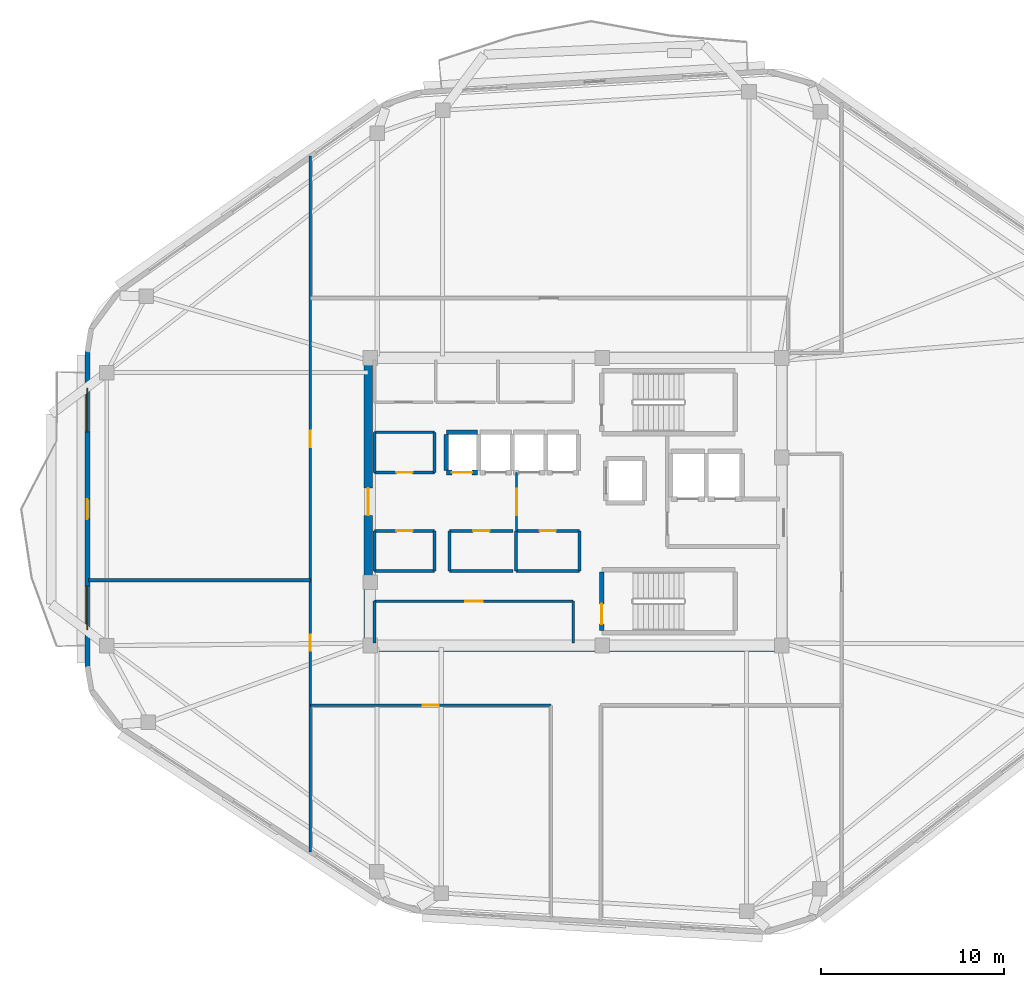
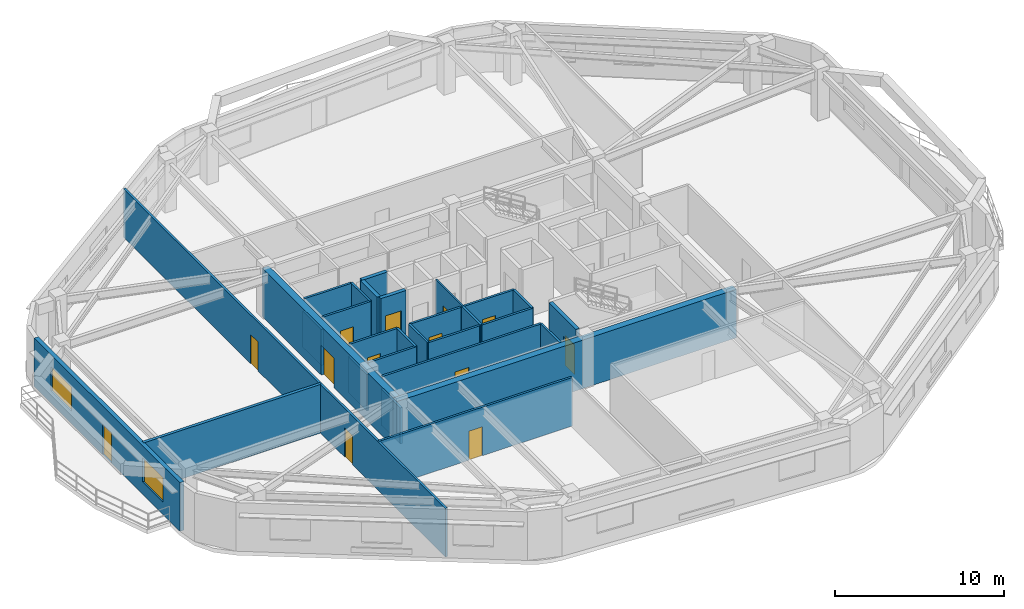
# One storey, part 3 of 9: 29 walls, 13 doors, 2 windows, 15 openings.
"""IFC4 building model written with IfcOpenShell, lengths in metres."""

from ifc_helpers import new_model, si_unit, direction, frame, frame_2d, origin, place, context, subcontext, project, spatial, rectangle, extrude, material, layer, layer_set, type_object, element, fill, save


model = new_model("IFC4")

# Units and contexts
model_context = context("Model", 3, precision=1e-05, world=origin(), true_north=direction((0.0, 1.0)))
body_context = subcontext(model_context, "Body", "Model", "MODEL_VIEW")
ifc_project = project(units=[si_unit("LENGTHUNIT", "METRE"), si_unit("AREAUNIT", "SQUARE_METRE"), si_unit("VOLUMEUNIT", "CUBIC_METRE"), si_unit("PLANEANGLEUNIT", "RADIAN"), si_unit("MASSUNIT", "GRAM", prefix="KILO")], contexts=[model_context])

# Site, building, storey
site_placement = place(None, origin())
site = spatial("IfcSite", under=ifc_project, at=site_placement, CompositionType="ELEMENT")
building_placement = place(site_placement, origin())
building = spatial("IfcBuilding", under=site, at=building_placement, Name="Zulverin Broadcast Headquarters", CompositionType="ELEMENT")
storey_placement = place(building_placement, frame((0.0, 0.0, 251.60009765625)))
storey = spatial("IfcBuildingStorey", under=building, at=storey_placement, Name="L64", CompositionType="ELEMENT", Elevation=251.60009765625)

# Walls
ifc_material_1 = material(Name="Acoustic drywall steel stud", Category="steel")
ifc_layer_1 = layer(ifc_material_1, 0.199951171875, Name="Acoustic drywall steel stud", Category="steel")
ifc_layer_set_1 = layer_set([ifc_layer_1], Name="Acoustic drywall steel stud")
wall_type_1 = type_object("IfcWallType", Name="WL-ACOU-200", PredefinedType="PARTITIONING", material=ifc_layer_set_1)
wall_1_placement = place(storey_placement, frame((10.304931640625, 20.89990234375, 0.0), z_axis=(0.0, 0.0, 1.0), x_axis=(1.0, 0.0, 0.0)))
element("IfcWall", 1, at=wall_1_placement, inside=storey, type_object=wall_type_1, Name="L64 Room Partition Wall RP-09", PredefinedType="PARTITIONING", context=body_context, shape_type="SweptSolid", body=[
    extrude(rectangle(XDim=12.14501953125, YDim=0.199951171875, at=frame_2d((6.072509765625, 0.0))), origin(), (0.0, 0.0, 1.0), 3.510009765625),
])
ifc_material_2 = material(Name="Concrete C50/60", Category="concrete")
ifc_layer_2 = layer(ifc_material_2, 0.449951171875, Name="Concrete C50/60", Category="concrete")
ifc_layer_set_2 = layer_set([ifc_layer_2], Name="Concrete C50/60")
wall_type_2 = type_object("IfcWallType", Name="WL-CORE-450", PredefinedType="SHEAR", material=ifc_layer_set_2)
wall_2_placement = place(storey_placement, frame((25.39990234375, 17.22509765625, 0.0), z_axis=(0.0, 0.0, 1.0), x_axis=(1.0, 0.0, 0.0)))
element("IfcWall", 2, at=wall_2_placement, inside=storey, type_object=wall_type_2, Name="L64 Core South Shear Wall", PredefinedType="SHEAR", context=body_context, shape_type="SweptSolid", body=[
    extrude(rectangle(XDim=23.2001953125, YDim=0.449951171875, at=frame_2d((11.60009765625, 0.0))), origin(), (0.0, 0.0, 1.0), 3.510009765625),
])

# Wall, opening, door
wall_3_placement = place(storey_placement, frame((25.625, 17.449951171875, 0.0), z_axis=(0.0, 0.0, 1.0), x_axis=(0.0, 1.0, 0.0)))
wall_3 = element("IfcWall", 3, at=wall_3_placement, inside=storey, type_object=wall_type_2, Name="L64 Core West Shear Wall", PredefinedType="SHEAR", context=body_context, shape_type="SweptSolid", body=[
    extrude(rectangle(XDim=15.5, YDim=0.449951171875, at=frame_2d((7.75, 0.0))), origin(), (0.0, 0.0, 1.0), 3.510009765625),
])
opening_1_placement = place(wall_3_placement, frame((7.0, 0.0, 0.0)))
opening_1 = element("IfcOpeningElement", 4, at=opening_1_placement, cuts=wall_3, Name="Opening D-L64-CW1", PredefinedType="OPENING", context=body_context, shape_type="SweptSolid", body=[
    extrude(rectangle(XDim=1.5, YDim=2.14990234375, at=frame_2d((0.75, 1.074951171875))), frame((0.0, 0.23486328125, 0.0), z_axis=(0.0, -1.0, 0.0), x_axis=(1.0, 0.0, 0.0)), (0.0, 0.0, 1.0), 0.469970703125),
])
ifc_material_3 = material(Name="Fire-rated glazed steel frame", Category="steel")
door_type_1 = type_object("IfcDoorType", Name="DR-COR-1500", OperationType="DOUBLE_DOOR_SINGLE_SWING", PredefinedType="DOOR", material=ifc_material_3)
door_1_placement = place(opening_1_placement, origin())
door_1 = element("IfcDoor", 5, at=door_1_placement, inside=storey, type_object=door_type_1, Name="L64 Central Lift Lobby West Portal Door", OperationType="DOUBLE_DOOR_SINGLE_SWING", OverallHeight=2.14990234375, OverallWidth=1.5, PredefinedType="DOOR", context=body_context, shape_type="SweptSolid", body=[
    extrude(rectangle(XDim=1.5, YDim=2.14990234375, at=frame_2d((0.75, 1.074951171875))), frame((0.0, 0.02490234375, 0.0), z_axis=(0.0, -1.0, 0.0), x_axis=(1.0, 0.0, 0.0)), (0.0, 0.0, 1.0), 0.050048828125),
])
fill(opening_1, door_1)

# Wall, openings, door, windows
ifc_material_4 = material(Name="Insulated pale-metal clad concrete spandrel C40/50", Category="concrete")
ifc_layer_3 = layer(ifc_material_4, 0.280029296875, Name="Insulated pale-metal clad concrete spandrel C40/50", Category="concrete")
ifc_layer_set_3 = layer_set([ifc_layer_3], Name="Insulated pale-metal clad concrete spandrel C40/50")
wall_type_3 = type_object("IfcWallType", Name="WL-EXT-280", PredefinedType="STANDARD", material=ifc_layer_set_3)
wall_4_placement = place(storey_placement, frame((10.239990234375, 33.42529296875, 0.0), z_axis=(0.0, 0.0, 1.0), x_axis=(0.0, -1.0, 0.0)))
wall_4 = element("IfcWall", 6, at=wall_4_placement, inside=storey, type_object=wall_type_3, Name="L64 Pale-Metal Clad Spandrel Wall 7", PredefinedType="STANDARD", context=body_context, shape_type="SweptSolid", body=[
    extrude(rectangle(XDim=17.256591796875, YDim=0.280029296875, at=frame_2d((8.62841796875, 0.0))), origin(), (0.0, 0.0, 1.0), 3.510009765625),
])
opening_2_placement = place(wall_4_placement, frame((8.078369140625, 0.0, 0.0)))
opening_2 = element("IfcOpeningElement", 7, at=opening_2_placement, cuts=wall_4, Name="Opening D-L64-TR7", PredefinedType="OPENING", context=body_context, shape_type="SweptSolid", body=[
    extrude(rectangle(XDim=1.10009765625, YDim=2.199951171875, at=frame_2d((0.550048828125, 1.10009765625))), frame((0.0, 0.14990234375, 0.0), z_axis=(0.0, -1.0, 0.0), x_axis=(1.0, 0.0, 0.0)), (0.0, 0.0, 1.0), 0.300048828125),
])
opening_3_placement = place(wall_4_placement, frame((2.009521484375, 0.0, 0.89990234375)))
opening_3 = element("IfcOpeningElement", 8, at=opening_3_placement, cuts=wall_4, Name="Opening W-L64-E71", PredefinedType="OPENING", context=body_context, shape_type="SweptSolid", body=[
    extrude(rectangle(XDim=2.39990234375, YDim=1.75, at=frame_2d((1.199951171875, 0.875))), frame((0.0, 0.14990234375, 0.0), z_axis=(0.0, -1.0, 0.0), x_axis=(1.0, 0.0, 0.0)), (0.0, 0.0, 1.0), 0.300048828125),
])
opening_4_placement = place(wall_4_placement, frame((12.84716796875, 0.0, 0.89990234375)))
opening_4 = element("IfcOpeningElement", 9, at=opening_4_placement, cuts=wall_4, Name="Opening W-L64-E72", PredefinedType="OPENING", context=body_context, shape_type="SweptSolid", body=[
    extrude(rectangle(XDim=2.39990234375, YDim=1.75, at=frame_2d((1.199951171875, 0.875))), frame((0.0, 0.14990234375, 0.0), z_axis=(0.0, -1.0, 0.0), x_axis=(1.0, 0.0, 0.0)), (0.0, 0.0, 1.0), 0.300048828125),
])
ifc_material_5 = material(Name="Thermally broken aluminium glazed", Category="aluminium")
door_type_2 = type_object("IfcDoorType", Name="DR-TERR-1100", OperationType="SINGLE_SWING_RIGHT", PredefinedType="DOOR", material=ifc_material_5)
door_2_placement = place(opening_2_placement, origin())
door_2 = element("IfcDoor", 10, at=door_2_placement, inside=storey, type_object=door_type_2, Name="L64 Planted Terrace Glazed Access Door 7", OperationType="SINGLE_SWING_RIGHT", OverallHeight=2.199951171875, OverallWidth=1.10009765625, PredefinedType="DOOR", context=body_context, shape_type="SweptSolid", body=[
    extrude(rectangle(XDim=1.10009765625, YDim=2.199951171875, at=frame_2d((0.550048828125, 1.10009765625))), frame((0.0, 0.02490234375, 0.0), z_axis=(0.0, -1.0, 0.0), x_axis=(1.0, 0.0, 0.0)), (0.0, 0.0, 1.0), 0.050048828125),
])
fill(opening_2, door_2)
ifc_material_6 = material(Name="Pale anodized aluminium frame with solar-control low-E double glazing", Category="aluminium")
window_type = type_object("IfcWindowType", Name="WIN-RIB-2400", PartitioningType="SINGLE_PANEL", PredefinedType="WINDOW", material=ifc_material_6)
window_1_placement = place(opening_3_placement, origin())
window_1 = element("IfcWindow", 11, at=window_1_placement, inside=storey, type_object=window_type, Name="L64 Ribbon Glazing Window 7 1", OverallHeight=1.75, OverallWidth=2.39990234375, PartitioningType="SINGLE_PANEL", PredefinedType="WINDOW", context=body_context, shape_type="SweptSolid", body=[
    extrude(rectangle(XDim=2.39990234375, YDim=1.75, at=frame_2d((1.199951171875, 0.875))), frame((0.0, 0.030029296875, 0.0), z_axis=(0.0, -1.0, 0.0), x_axis=(1.0, 0.0, 0.0)), (0.0, 0.0, 1.0), 0.06005859375),
])
fill(opening_3, window_1)
window_2_placement = place(opening_4_placement, origin())
window_2 = element("IfcWindow", 12, at=window_2_placement, inside=storey, type_object=window_type, Name="L64 Ribbon Glazing Window 7 2", OverallHeight=1.75, OverallWidth=2.39990234375, PartitioningType="SINGLE_PANEL", PredefinedType="WINDOW", context=body_context, shape_type="SweptSolid", body=[
    extrude(rectangle(XDim=2.39990234375, YDim=1.75, at=frame_2d((1.199951171875, 0.875))), frame((0.0, 0.030029296875, 0.0), z_axis=(0.0, -1.0, 0.0), x_axis=(1.0, 0.0, 0.0)), (0.0, 0.0, 1.0), 0.06005859375),
])
fill(opening_4, window_2)

# Wall, opening, door
ifc_material_7 = material(Name="Fire-rated acoustic laminated glass screen", Category="glass")
ifc_layer_4 = layer(ifc_material_7, 0.10009765625, Name="Fire-rated acoustic laminated glass screen", Category="glass")
ifc_layer_set_4 = layer_set([ifc_layer_4], Name="Fire-rated acoustic laminated glass screen")
wall_type_4 = type_object("IfcWallType", Name="WL-GLAZ-100", PredefinedType="PARTITIONING", material=ifc_layer_set_4)
wall_5_placement = place(storey_placement, frame((33.75, 23.60009765625, 0.0), z_axis=(0.0, 0.0, 1.0), x_axis=(0.0, 1.0, 0.0)))
wall_5 = element("IfcWall", 13, at=wall_5_placement, inside=storey, type_object=wall_type_4, Name="L64 Core Lobby Acoustic Screen", PredefinedType="PARTITIONING", context=body_context, shape_type="SweptSolid", body=[
    extrude(rectangle(XDim=3.199951171875, YDim=0.10009765625, at=frame_2d((1.60009765625, 0.0))), origin(), (0.0, 0.0, 1.0), 3.510009765625),
])
opening_5_placement = place(wall_5_placement, frame((0.85009765625, 0.0, 0.0)))
opening_5 = element("IfcOpeningElement", 14, at=opening_5_placement, cuts=wall_5, Name="Opening D-L64-CL1", PredefinedType="OPENING", context=body_context, shape_type="SweptSolid", body=[
    extrude(rectangle(XDim=1.449951171875, YDim=2.1201171875, at=frame_2d((0.72509765625, 1.06005859375))), frame((0.0, 0.06005859375, 0.0), z_axis=(0.0, -1.0, 0.0), x_axis=(1.0, 0.0, 0.0)), (0.0, 0.0, 1.0), 0.1201171875),
])
ifc_material_8 = material(Name="Fire-rated acoustic glazed double leaf", Category="glass")
door_type_3 = type_object("IfcDoorType", Name="DR-GLZ-1450", OperationType="DOUBLE_DOOR_SINGLE_SWING", PredefinedType="DOOR", material=ifc_material_8)
door_3_placement = place(opening_5_placement, origin())
door_3 = element("IfcDoor", 15, at=door_3_placement, inside=storey, type_object=door_type_3, Name="L64 Core Lobby Vestibule Door", OperationType="DOUBLE_DOOR_SINGLE_SWING", OverallHeight=2.1201171875, OverallWidth=1.449951171875, PredefinedType="DOOR", context=body_context, shape_type="SweptSolid", body=[
    extrude(rectangle(XDim=1.449951171875, YDim=2.1201171875, at=frame_2d((0.72509765625, 1.06005859375))), frame((0.0, 0.02490234375, 0.0), z_axis=(0.0, -1.0, 0.0), x_axis=(1.0, 0.0, 0.0)), (0.0, 0.0, 1.0), 0.050048828125),
])
fill(opening_5, door_3)

ifc_material_9 = material(Name="Fire-rated gypsum stud partition", Category="gypsum")
ifc_layer_5 = layer(ifc_material_9, 0.14990234375, Name="Fire-rated gypsum stud partition", Category="gypsum")
ifc_layer_set_5 = layer_set([ifc_layer_5], Name="Fire-rated gypsum stud partition")
wall_type_5 = type_object("IfcWallType", Name="WL-PART-150", PredefinedType="PARTITIONING", material=ifc_layer_set_5)
wall_6_placement = place(storey_placement, frame((25.969970703125, 19.75, 0.0), z_axis=(0.0, 0.0, 1.0), x_axis=(1.0, 0.0, 0.0)))
wall_6 = element("IfcWall", 16, at=wall_6_placement, inside=storey, type_object=wall_type_5, Name="L64 Core Female WC & Facilities Room Front Wall", PredefinedType="PARTITIONING", context=body_context, shape_type="SweptSolid", body=[
    extrude(rectangle(XDim=10.880126953125, YDim=0.14990234375, at=frame_2d((5.43994140625, 0.0))), origin(), (0.0, 0.0, 1.0), 3.510009765625),
])
opening_6_placement = place(wall_6_placement, frame((4.965087890625, 0.0, 0.0)))
opening_6 = element("IfcOpeningElement", 17, at=opening_6_placement, cuts=wall_6, Name="Opening D-L64-SC1", PredefinedType="OPENING", context=body_context, shape_type="SweptSolid", body=[
    extrude(rectangle(XDim=0.949951171875, YDim=2.10009765625, at=frame_2d((0.47509765625, 1.050048828125))), frame((0.0, 0.0849609375, 0.0), z_axis=(0.0, -1.0, 0.0), x_axis=(1.0, 0.0, 0.0)), (0.0, 0.0, 1.0), 0.169921875),
])
ifc_material_10 = material(Name="Fire-rated moisture-resistant laminate leaf", Category="wood")
door_type_4 = type_object("IfcDoorType", Name="DR-WC-950", OperationType="SINGLE_SWING_LEFT", PredefinedType="DOOR", material=ifc_material_10)
door_4_placement = place(opening_6_placement, origin())
door_4 = element("IfcDoor", 18, at=door_4_placement, inside=storey, type_object=door_type_4, Name="L64 Female WC & Facilities Room Door", OperationType="SINGLE_SWING_RIGHT", OverallHeight=2.10009765625, OverallWidth=0.949951171875, PredefinedType="DOOR", context=body_context, shape_type="SweptSolid", body=[
    extrude(rectangle(XDim=0.949951171875, YDim=2.10009765625, at=frame_2d((0.47509765625, 1.050048828125))), frame((0.0, 0.02490234375, 0.0), z_axis=(0.0, -1.0, 0.0), x_axis=(1.0, 0.0, 0.0)), (0.0, 0.0, 1.0), 0.050048828125),
])
fill(opening_6, door_4)

# Walls
wall_7_placement = place(storey_placement, frame((25.969970703125, 17.449951171875, 0.0), z_axis=(0.0, 0.0, 1.0), x_axis=(0.0, 1.0, 0.0)))
element("IfcWall", 19, at=wall_7_placement, inside=storey, type_object=wall_type_5, Name="L64 Core Female WC & Facilities Room West Wall", PredefinedType="PARTITIONING", context=body_context, shape_type="SweptSolid", body=[
    extrude(rectangle(XDim=2.300048828125, YDim=0.14990234375, at=frame_2d((1.14990234375, 0.0))), origin(), (0.0, 0.0, 1.0), 2.60986328125),
])
wall_8_placement = place(storey_placement, frame((36.85009765625, 17.449951171875, 0.0), z_axis=(0.0, 0.0, 1.0), x_axis=(0.0, 1.0, 0.0)))
element("IfcWall", 20, at=wall_8_placement, inside=storey, type_object=wall_type_5, Name="L64 Core Female WC & Facilities Room East Wall", PredefinedType="PARTITIONING", context=body_context, shape_type="SweptSolid", body=[
    extrude(rectangle(XDim=2.300048828125, YDim=0.14990234375, at=frame_2d((1.14990234375, 0.0))), origin(), (0.0, 0.0, 1.0), 3.510009765625),
])

# Wall, opening, door
wall_9_placement = place(storey_placement, frame((25.969970703125, 26.800048828125, 0.0), z_axis=(0.0, 0.0, 1.0), x_axis=(1.0, 0.0, 0.0)))
wall_9 = element("IfcWall", 21, at=wall_9_placement, inside=storey, type_object=wall_type_5, Name="L64 Core UPS Battery Store S Wall", PredefinedType="PARTITIONING", context=body_context, shape_type="SweptSolid", body=[
    extrude(rectangle(XDim=3.280029296875, YDim=0.14990234375, at=frame_2d((1.64013671875, 0.0))), origin(), (0.0, 0.0, 1.0), 3.510009765625),
])
opening_7_placement = place(wall_9_placement, frame((1.18994140625, 0.0, 0.0)))
opening_7 = element("IfcOpeningElement", 22, at=opening_7_placement, cuts=wall_9, Name="Opening D-L64-RCLN", PredefinedType="OPENING", context=body_context, shape_type="SweptSolid", body=[
    extrude(rectangle(XDim=0.89990234375, YDim=2.10009765625, at=frame_2d((0.449951171875, 1.050048828125))), frame((0.0, 0.0849609375, 0.0), z_axis=(0.0, -1.0, 0.0), x_axis=(1.0, 0.0, 0.0)), (0.0, 0.0, 1.0), 0.169921875),
])
ifc_material_11 = material(Name="Powder-coated steel access leaf", Category="steel")
door_type_5 = type_object("IfcDoorType", Name="DR-RISER-900", OperationType="SINGLE_SWING_LEFT", PredefinedType="DOOR", material=ifc_material_11)
door_5_placement = place(opening_7_placement, origin())
door_5 = element("IfcDoor", 23, at=door_5_placement, inside=storey, type_object=door_type_5, Name="L64 Core UPS Battery Store Door", OperationType="SINGLE_SWING_LEFT", OverallHeight=2.10009765625, OverallWidth=0.89990234375, PredefinedType="DOOR", context=body_context, shape_type="SweptSolid", body=[
    extrude(rectangle(XDim=0.89990234375, YDim=2.10009765625, at=frame_2d((0.449951171875, 1.050048828125))), frame((0.0, 0.02490234375, 0.0), z_axis=(0.0, -1.0, 0.0), x_axis=(1.0, 0.0, 0.0)), (0.0, 0.0, 1.0), 0.050048828125),
])
fill(opening_7, door_5)

# Walls
wall_10_placement = place(storey_placement, frame((25.969970703125, 29.0, 0.0), z_axis=(0.0, 0.0, 1.0), x_axis=(1.0, 0.0, 0.0)))
element("IfcWall", 24, at=wall_10_placement, inside=storey, type_object=wall_type_5, Name="L64 Core UPS Battery Store N Wall", PredefinedType="PARTITIONING", context=body_context, shape_type="SweptSolid", body=[
    extrude(rectangle(XDim=3.280029296875, YDim=0.14990234375, at=frame_2d((1.64013671875, 0.0))), origin(), (0.0, 0.0, 1.0), 3.510009765625),
])
wall_11_placement = place(storey_placement, frame((25.969970703125, 26.800048828125, 0.0), z_axis=(0.0, 0.0, 1.0), x_axis=(0.0, 1.0, 0.0)))
element("IfcWall", 25, at=wall_11_placement, inside=storey, type_object=wall_type_5, Name="L64 Core UPS Battery Store W Wall", PredefinedType="PARTITIONING", context=body_context, shape_type="SweptSolid", body=[
    extrude(rectangle(XDim=2.199951171875, YDim=0.14990234375, at=frame_2d((1.10009765625, 0.0))), origin(), (0.0, 0.0, 1.0), 2.60986328125),
])
wall_12_placement = place(storey_placement, frame((29.25, 26.800048828125, 0.0), z_axis=(0.0, 0.0, 1.0), x_axis=(0.0, 1.0, 0.0)))
element("IfcWall", 26, at=wall_12_placement, inside=storey, type_object=wall_type_5, Name="L64 Core UPS Battery Store E Wall", PredefinedType="PARTITIONING", context=body_context, shape_type="SweptSolid", body=[
    extrude(rectangle(XDim=2.199951171875, YDim=0.14990234375, at=frame_2d((1.10009765625, 0.0))), origin(), (0.0, 0.0, 1.0), 3.510009765625),
])
wall_13_placement = place(storey_placement, frame((25.969970703125, 21.39990234375, 0.0), z_axis=(0.0, 0.0, 1.0), x_axis=(1.0, 0.0, 0.0)))
element("IfcWall", 27, at=wall_13_placement, inside=storey, type_object=wall_type_5, Name="L64 Media Ingestion Server Room S Wall", PredefinedType="PARTITIONING", context=body_context, shape_type="SweptSolid", body=[
    extrude(rectangle(XDim=3.280029296875, YDim=0.14990234375, at=frame_2d((1.64013671875, 0.0))), origin(), (0.0, 0.0, 1.0), 3.510009765625),
])

# Wall, opening, door
wall_14_placement = place(storey_placement, frame((25.969970703125, 23.60009765625, 0.0), z_axis=(0.0, 0.0, 1.0), x_axis=(1.0, 0.0, 0.0)))
wall_14 = element("IfcWall", 28, at=wall_14_placement, inside=storey, type_object=wall_type_5, Name="L64 Media Ingestion Server Room N Wall", PredefinedType="PARTITIONING", context=body_context, shape_type="SweptSolid", body=[
    extrude(rectangle(XDim=3.280029296875, YDim=0.14990234375, at=frame_2d((1.64013671875, 0.0))), origin(), (0.0, 0.0, 1.0), 3.510009765625),
])
opening_8_placement = place(wall_14_placement, frame((1.18994140625, 0.0, 0.0)))
opening_8 = element("IfcOpeningElement", 29, at=opening_8_placement, cuts=wall_14, Name="Opening D-L64-RCLS", PredefinedType="OPENING", context=body_context, shape_type="SweptSolid", body=[
    extrude(rectangle(XDim=0.89990234375, YDim=2.10009765625, at=frame_2d((0.449951171875, 1.050048828125))), frame((0.0, 0.0849609375, 0.0), z_axis=(0.0, -1.0, 0.0), x_axis=(1.0, 0.0, 0.0)), (0.0, 0.0, 1.0), 0.169921875),
])
door_6_placement = place(opening_8_placement, origin())
door_6 = element("IfcDoor", 30, at=door_6_placement, inside=storey, type_object=door_type_5, Name="L64 Media Ingestion Server Room Door", OperationType="SINGLE_SWING_RIGHT", OverallHeight=2.10009765625, OverallWidth=0.89990234375, PredefinedType="DOOR", context=body_context, shape_type="SweptSolid", body=[
    extrude(rectangle(XDim=0.89990234375, YDim=2.10009765625, at=frame_2d((0.449951171875, 1.050048828125))), frame((0.0, 0.02490234375, 0.0), z_axis=(0.0, -1.0, 0.0), x_axis=(1.0, 0.0, 0.0)), (0.0, 0.0, 1.0), 0.050048828125),
])
fill(opening_8, door_6)

# Walls
wall_15_placement = place(storey_placement, frame((25.969970703125, 21.39990234375, 0.0), z_axis=(0.0, 0.0, 1.0), x_axis=(0.0, 1.0, 0.0)))
element("IfcWall", 31, at=wall_15_placement, inside=storey, type_object=wall_type_5, Name="L64 Media Ingestion Server Room W Wall", PredefinedType="PARTITIONING", context=body_context, shape_type="SweptSolid", body=[
    extrude(rectangle(XDim=2.2001953125, YDim=0.14990234375, at=frame_2d((1.10009765625, 0.0))), origin(), (0.0, 0.0, 1.0), 2.60986328125),
])
wall_16_placement = place(storey_placement, frame((29.25, 21.39990234375, 0.0), z_axis=(0.0, 0.0, 1.0), x_axis=(0.0, 1.0, 0.0)))
element("IfcWall", 32, at=wall_16_placement, inside=storey, type_object=wall_type_5, Name="L64 Media Ingestion Server Room E Wall", PredefinedType="PARTITIONING", context=body_context, shape_type="SweptSolid", body=[
    extrude(rectangle(XDim=2.2001953125, YDim=0.14990234375, at=frame_2d((1.10009765625, 0.0))), origin(), (0.0, 0.0, 1.0), 3.510009765625),
])
wall_17_placement = place(storey_placement, frame((30.080078125, 21.39990234375, 0.0), z_axis=(0.0, 0.0, 1.0), x_axis=(1.0, 0.0, 0.0)))
element("IfcWall", 33, at=wall_17_placement, inside=storey, type_object=wall_type_5, Name="L64 High-Zone Archive Vault Store S Wall", PredefinedType="PARTITIONING", context=body_context, shape_type="SweptSolid", body=[
    extrude(rectangle(XDim=3.47998046875, YDim=0.14990234375, at=frame_2d((1.739990234375, 0.0))), origin(), (0.0, 0.0, 1.0), 3.510009765625),
])

# Wall, opening, door
wall_18_placement = place(storey_placement, frame((30.080078125, 23.60009765625, 0.0), z_axis=(0.0, 0.0, 1.0), x_axis=(1.0, 0.0, 0.0)))
wall_18 = element("IfcWall", 34, at=wall_18_placement, inside=storey, type_object=wall_type_5, Name="L64 High-Zone Archive Vault Store N Wall", PredefinedType="PARTITIONING", context=body_context, shape_type="SweptSolid", body=[
    extrude(rectangle(XDim=3.47998046875, YDim=0.14990234375, at=frame_2d((1.739990234375, 0.0))), origin(), (0.0, 0.0, 1.0), 3.510009765625),
])
opening_9_placement = place(wall_18_placement, frame((1.2900390625, 0.0, 0.0)))
opening_9 = element("IfcOpeningElement", 35, at=opening_9_placement, cuts=wall_18, Name="Opening D-L64-RM1", PredefinedType="OPENING", context=body_context, shape_type="SweptSolid", body=[
    extrude(rectangle(XDim=0.89990234375, YDim=2.10009765625, at=frame_2d((0.449951171875, 1.050048828125))), frame((0.0, 0.0849609375, 0.0), z_axis=(0.0, -1.0, 0.0), x_axis=(1.0, 0.0, 0.0)), (0.0, 0.0, 1.0), 0.169921875),
])
door_7_placement = place(opening_9_placement, origin())
door_7 = element("IfcDoor", 36, at=door_7_placement, inside=storey, type_object=door_type_5, Name="L64 High-Zone Archive Vault Store Door", OperationType="SINGLE_SWING_LEFT", OverallHeight=2.10009765625, OverallWidth=0.89990234375, PredefinedType="DOOR", context=body_context, shape_type="SweptSolid", body=[
    extrude(rectangle(XDim=0.89990234375, YDim=2.10009765625, at=frame_2d((0.449951171875, 1.050048828125))), frame((0.0, 0.02490234375, 0.0), z_axis=(0.0, -1.0, 0.0), x_axis=(1.0, 0.0, 0.0)), (0.0, 0.0, 1.0), 0.050048828125),
])
fill(opening_9, door_7)

# Walls
wall_19_placement = place(storey_placement, frame((30.080078125, 21.39990234375, 0.0), z_axis=(0.0, 0.0, 1.0), x_axis=(0.0, 1.0, 0.0)))
element("IfcWall", 37, at=wall_19_placement, inside=storey, type_object=wall_type_5, Name="L64 High-Zone Archive Vault Store W Wall", PredefinedType="PARTITIONING", context=body_context, shape_type="SweptSolid", body=[
    extrude(rectangle(XDim=2.2001953125, YDim=0.14990234375, at=frame_2d((1.10009765625, 0.0))), origin(), (0.0, 0.0, 1.0), 3.510009765625),
])
wall_20_placement = place(storey_placement, frame((33.719970703125, 21.39990234375, 0.0), z_axis=(0.0, 0.0, 1.0), x_axis=(1.0, 0.0, 0.0)))
element("IfcWall", 38, at=wall_20_placement, inside=storey, type_object=wall_type_5, Name="L64 Executive Floor Pantry Store S Wall", PredefinedType="PARTITIONING", context=body_context, shape_type="SweptSolid", body=[
    extrude(rectangle(XDim=3.47998046875, YDim=0.14990234375, at=frame_2d((1.739990234375, 0.0))), origin(), (0.0, 0.0, 1.0), 3.510009765625),
])

# Wall, opening, door
wall_21_placement = place(storey_placement, frame((33.719970703125, 23.60009765625, 0.0), z_axis=(0.0, 0.0, 1.0), x_axis=(1.0, 0.0, 0.0)))
wall_21 = element("IfcWall", 39, at=wall_21_placement, inside=storey, type_object=wall_type_5, Name="L64 Executive Floor Pantry Store N Wall", PredefinedType="PARTITIONING", context=body_context, shape_type="SweptSolid", body=[
    extrude(rectangle(XDim=3.47998046875, YDim=0.14990234375, at=frame_2d((1.739990234375, 0.0))), origin(), (0.0, 0.0, 1.0), 3.510009765625),
])
opening_10_placement = place(wall_21_placement, frame((1.2900390625, 0.0, 0.0)))
opening_10 = element("IfcOpeningElement", 40, at=opening_10_placement, cuts=wall_21, Name="Opening D-L64-RM2", PredefinedType="OPENING", context=body_context, shape_type="SweptSolid", body=[
    extrude(rectangle(XDim=0.89990234375, YDim=2.10009765625, at=frame_2d((0.449951171875, 1.050048828125))), frame((0.0, 0.0849609375, 0.0), z_axis=(0.0, -1.0, 0.0), x_axis=(1.0, 0.0, 0.0)), (0.0, 0.0, 1.0), 0.169921875),
])
door_8_placement = place(opening_10_placement, origin())
door_8 = element("IfcDoor", 41, at=door_8_placement, inside=storey, type_object=door_type_5, Name="L64 Executive Floor Pantry Store Door", OperationType="SINGLE_SWING_RIGHT", OverallHeight=2.10009765625, OverallWidth=0.89990234375, PredefinedType="DOOR", context=body_context, shape_type="SweptSolid", body=[
    extrude(rectangle(XDim=0.89990234375, YDim=2.10009765625, at=frame_2d((0.449951171875, 1.050048828125))), frame((0.0, 0.02490234375, 0.0), z_axis=(0.0, -1.0, 0.0), x_axis=(1.0, 0.0, 0.0)), (0.0, 0.0, 1.0), 0.050048828125),
])
fill(opening_10, door_8)

# Walls
for number, where, z_axis, x_axis, name in (
    (42, (33.719970703125, 21.39990234375, 0.0), (0.0, 0.0, 1.0), (0.0, 1.0, 0.0), "L64 Executive Floor Pantry Store W Wall"),
    (43, (37.199951171875, 21.39990234375, 0.0), (0.0, 0.0, 1.0), (0.0, 1.0, 0.0), "L64 Executive Floor Pantry Store E Wall"),
):
    element("IfcWall", number, at=place(storey_placement, frame(where, z_axis=z_axis, x_axis=x_axis)), inside=storey, type_object=wall_type_5, Name=name, PredefinedType="PARTITIONING", context=body_context, shape_type="SweptSolid", body=[
        extrude(rectangle(XDim=2.2001953125, YDim=0.14990234375, at=frame_2d((1.10009765625, 0.0))), origin(), (0.0, 0.0, 1.0), 3.510009765625),
    ])

# Wall, openings, doors
wall_22_placement = place(storey_placement, frame((22.449951171875, 6.019775390625, 0.0), z_axis=(0.0, 0.0, 1.0), x_axis=(0.0, 1.0, 0.0)))
wall_22 = element("IfcWall", 44, at=wall_22_placement, inside=storey, type_object=wall_type_5, Name="L64 Gallery Partition Wall CG-06", PredefinedType="PARTITIONING", context=body_context, shape_type="SweptSolid", body=[
    extrude(rectangle(XDim=38.106201171875, YDim=0.14990234375, at=frame_2d((19.05322265625, 0.0))), origin(), (0.0, 0.0, 1.0), 3.510009765625),
])
opening_11_placement = place(wall_22_placement, frame((11.00537109375, 0.0, 0.0)))
opening_11 = element("IfcOpeningElement", 45, at=opening_11_placement, cuts=wall_22, Name="Opening D-L64-04", PredefinedType="OPENING", context=body_context, shape_type="SweptSolid", body=[
    extrude(rectangle(XDim=0.89990234375, YDim=2.10009765625, at=frame_2d((0.449951171875, 1.050048828125))), frame((0.0, 0.0849609375, 0.0), z_axis=(0.0, -1.0, 0.0), x_axis=(1.0, 0.0, 0.0)), (0.0, 0.0, 1.0), 0.169921875),
])
opening_12_placement = place(wall_22_placement, frame((22.1552734375, 0.0, 0.0)))
opening_12 = element("IfcOpeningElement", 46, at=opening_12_placement, cuts=wall_22, Name="Opening D-L64-05", PredefinedType="OPENING", context=body_context, shape_type="SweptSolid", body=[
    extrude(rectangle(XDim=0.89990234375, YDim=2.10009765625, at=frame_2d((0.449951171875, 1.050048828125))), frame((0.0, 0.0849609375, 0.0), z_axis=(0.0, -1.0, 0.0), x_axis=(1.0, 0.0, 0.0)), (0.0, 0.0, 1.0), 0.169921875),
])
ifc_material_12 = material(Name="Fire-rated hardwood veneer timber leaf", Category="wood")
door_type_6 = type_object("IfcDoorType", Name="DR-ROOM-900", OperationType="SINGLE_SWING_RIGHT", PredefinedType="DOOR", material=ifc_material_12)
door_9_placement = place(opening_11_placement, origin())
door_9 = element("IfcDoor", 47, at=door_9_placement, inside=storey, type_object=door_type_6, Name="L64 Catering Pantry Door", OperationType="SINGLE_SWING_LEFT", OverallHeight=2.10009765625, OverallWidth=0.89990234375, PredefinedType="DOOR", context=body_context, shape_type="SweptSolid", body=[
    extrude(rectangle(XDim=0.89990234375, YDim=2.10009765625, at=frame_2d((0.449951171875, 1.050048828125))), frame((0.0, 0.02490234375, 0.0), z_axis=(0.0, -1.0, 0.0), x_axis=(1.0, 0.0, 0.0)), (0.0, 0.0, 1.0), 0.050048828125),
])
fill(opening_11, door_9)
door_10_placement = place(opening_12_placement, origin())
door_10 = element("IfcDoor", 48, at=door_10_placement, inside=storey, type_object=door_type_6, Name="L64 Diplomatic Reception Foyer Door", OperationType="SINGLE_SWING_RIGHT", OverallHeight=2.10009765625, OverallWidth=0.89990234375, PredefinedType="DOOR", context=body_context, shape_type="SweptSolid", body=[
    extrude(rectangle(XDim=0.89990234375, YDim=2.10009765625, at=frame_2d((0.449951171875, 1.050048828125))), frame((0.0, 0.02490234375, 0.0), z_axis=(0.0, -1.0, 0.0), x_axis=(1.0, 0.0, 0.0)), (0.0, 0.0, 1.0), 0.050048828125),
])
fill(opening_12, door_10)

# Wall, opening, door
wall_23_placement = place(storey_placement, frame((22.449951171875, 14.050048828125, 0.0), z_axis=(0.0, 0.0, 1.0), x_axis=(1.0, 0.0, 0.0)))
wall_23 = element("IfcWall", 49, at=wall_23_placement, inside=storey, type_object=wall_type_5, Name="L64 Gallery Partition Wall CG-07", PredefinedType="PARTITIONING", context=body_context, shape_type="SweptSolid", body=[
    extrude(rectangle(XDim=13.199951171875, YDim=0.14990234375, at=frame_2d((6.60009765625, 0.0))), origin(), (0.0, 0.0, 1.0), 3.510009765625),
])
opening_13_placement = place(wall_23_placement, frame((6.14990234375, 0.0, 0.0)))
opening_13 = element("IfcOpeningElement", 50, at=opening_13_placement, cuts=wall_23, Name="Opening D-L64-02", PredefinedType="OPENING", context=body_context, shape_type="SweptSolid", body=[
    extrude(rectangle(XDim=0.89990234375, YDim=2.10009765625, at=frame_2d((0.449951171875, 1.050048828125))), frame((0.0, 0.0849609375, 0.0), z_axis=(0.0, -1.0, 0.0), x_axis=(1.0, 0.0, 0.0)), (0.0, 0.0, 1.0), 0.169921875),
])
door_11_placement = place(opening_13_placement, origin())
door_11 = element("IfcDoor", 51, at=door_11_placement, inside=storey, type_object=door_type_6, Name="L64 Executive Boardroom Door", OperationType="SINGLE_SWING_LEFT", OverallHeight=2.10009765625, OverallWidth=0.89990234375, PredefinedType="DOOR", context=body_context, shape_type="SweptSolid", body=[
    extrude(rectangle(XDim=0.89990234375, YDim=2.10009765625, at=frame_2d((0.449951171875, 1.050048828125))), frame((0.0, 0.02490234375, 0.0), z_axis=(0.0, -1.0, 0.0), x_axis=(1.0, 0.0, 0.0)), (0.0, 0.0, 1.0), 0.050048828125),
])
fill(opening_13, door_11)

ifc_layer_6 = layer(ifc_material_2, 0.25, Name="Concrete C50/60", Category="concrete")
ifc_layer_set_6 = layer_set([ifc_layer_6], Name="Concrete C50/60")
wall_type_6 = type_object("IfcWallType", Name="WL-SHAFT-250", PredefinedType="SHEAR", material=ifc_layer_set_6)
wall_24_placement = place(storey_placement, frame((38.425048828125, 18.14990234375, 0.0), z_axis=(0.0, 0.0, 1.0), x_axis=(0.0, 1.0, 0.0)))
wall_24 = element("IfcWall", 52, at=wall_24_placement, inside=storey, type_object=wall_type_6, Name="L64 ST-2 Enclosure Wall W", PredefinedType="SHEAR", context=body_context, shape_type="SweptSolid", body=[
    extrude(rectangle(XDim=3.2001953125, YDim=0.25, at=frame_2d((1.60009765625, 0.0))), origin(), (0.0, 0.0, 1.0), 3.510009765625),
])
opening_14_placement = place(wall_24_placement, frame((0.35009765625, 0.0, 0.0)))
opening_14 = element("IfcOpeningElement", 53, at=opening_14_placement, cuts=wall_24, Name="Opening D-L64-ST-2", PredefinedType="OPENING", context=body_context, shape_type="SweptSolid", body=[
    extrude(rectangle(XDim=1.10009765625, YDim=2.14990234375, at=frame_2d((0.550048828125, 1.074951171875))), frame((0.0, 0.135009765625, 0.0), z_axis=(0.0, -1.0, 0.0), x_axis=(1.0, 0.0, 0.0)), (0.0, 0.0, 1.0), 0.27001953125),
])
ifc_material_13 = material(Name="Fire-rated steel leaf and frame", Category="steel")
door_type_7 = type_object("IfcDoorType", Name="DR-STAIR-1100", OperationType="SINGLE_SWING_LEFT", PredefinedType="DOOR", material=ifc_material_13)
door_12_placement = place(opening_14_placement, origin())
door_12 = element("IfcDoor", 54, at=door_12_placement, inside=storey, type_object=door_type_7, Name="L64 Exit Stair ST-2 Fire Door", OperationType="SINGLE_SWING_RIGHT", OverallHeight=2.14990234375, OverallWidth=1.10009765625, PredefinedType="DOOR", context=body_context, shape_type="SweptSolid", body=[
    extrude(rectangle(XDim=1.10009765625, YDim=2.14990234375, at=frame_2d((0.550048828125, 1.074951171875))), frame((0.0, 0.02490234375, 0.0), z_axis=(0.0, -1.0, 0.0), x_axis=(1.0, 0.0, 0.0)), (0.0, 0.0, 1.0), 0.050048828125),
])
fill(opening_14, door_12)

wall_25_placement = place(storey_placement, frame((29.89990234375, 26.800048828125, 0.0), z_axis=(0.0, 0.0, 1.0), x_axis=(1.0, 0.0, 0.0)))
wall_25 = element("IfcWall", 55, at=wall_25_placement, inside=storey, type_object=wall_type_6, Name="L64 Lift PL-H1 Shaft Wall S", PredefinedType="SHEAR", context=body_context, shape_type="SweptSolid", body=[
    extrude(rectangle(XDim=1.72021484375, YDim=0.25, at=frame_2d((0.860107421875, 0.0))), origin(), (0.0, 0.0, 1.0), 3.510009765625),
])
opening_15_placement = place(wall_25_placement, frame((0.31005859375, 0.0, 0.0)))
opening_15 = element("IfcOpeningElement", 56, at=opening_15_placement, cuts=wall_25, Name="Opening LD-PL-H1-L64", PredefinedType="OPENING", context=body_context, shape_type="SweptSolid", body=[
    extrude(rectangle(XDim=1.10009765625, YDim=2.14990234375, at=frame_2d((0.550048828125, 1.074951171875))), frame((0.0, 0.135009765625, 0.0), z_axis=(0.0, -1.0, 0.0), x_axis=(1.0, 0.0, 0.0)), (0.0, 0.0, 1.0), 0.27001953125),
])
ifc_material_14 = material(Name="Brushed stainless steel landing", Category="steel")
door_type_8 = type_object("IfcDoorType", Name="LD-PASS-1100", OperationType="DOUBLE_DOOR_SLIDING", PredefinedType="DOOR", material=ifc_material_14)
door_13_placement = place(opening_15_placement, origin())
door_13 = element("IfcDoor", 57, at=door_13_placement, inside=storey, type_object=door_type_8, Name="L64 Lift PL-H1 Sliding Landing Door", OperationType="DOUBLE_DOOR_SLIDING", OverallHeight=2.14990234375, OverallWidth=1.10009765625, PredefinedType="DOOR", context=body_context, shape_type="SweptSolid", body=[
    extrude(rectangle(XDim=1.10009765625, YDim=2.14990234375, at=frame_2d((0.550048828125, 1.074951171875))), frame((0.0, 0.02490234375, 0.0), z_axis=(0.0, -1.0, 0.0), x_axis=(1.0, 0.0, 0.0)), (0.0, 0.0, 1.0), 0.050048828125),
])
fill(opening_15, door_13)

# Walls
wall_26_placement = place(storey_placement, frame((29.89990234375, 29.0, 0.0), z_axis=(0.0, 0.0, 1.0), x_axis=(1.0, 0.0, 0.0)))
element("IfcWall", 58, at=wall_26_placement, inside=storey, type_object=wall_type_6, Name="L64 Lift PL-H1 Shaft Wall N", PredefinedType="SHEAR", context=body_context, shape_type="SweptSolid", body=[
    extrude(rectangle(XDim=1.72021484375, YDim=0.25, at=frame_2d((0.860107421875, 0.0))), origin(), (0.0, 0.0, 1.0), 3.510009765625),
])
wall_27_placement = place(storey_placement, frame((29.89990234375, 26.919921875, 0.0), z_axis=(0.0, 0.0, 1.0), x_axis=(0.0, 1.0, 0.0)))
element("IfcWall", 59, at=wall_27_placement, inside=storey, type_object=wall_type_6, Name="L64 Lift PL-H1 Shaft Wall W", PredefinedType="SHEAR", context=body_context, shape_type="SweptSolid", body=[
    extrude(rectangle(XDim=1.9599609375, YDim=0.25, at=frame_2d((0.97998046875, 0.0))), origin(), (0.0, 0.0, 1.0), 3.510009765625),
])

save(model, "model.ifc")
